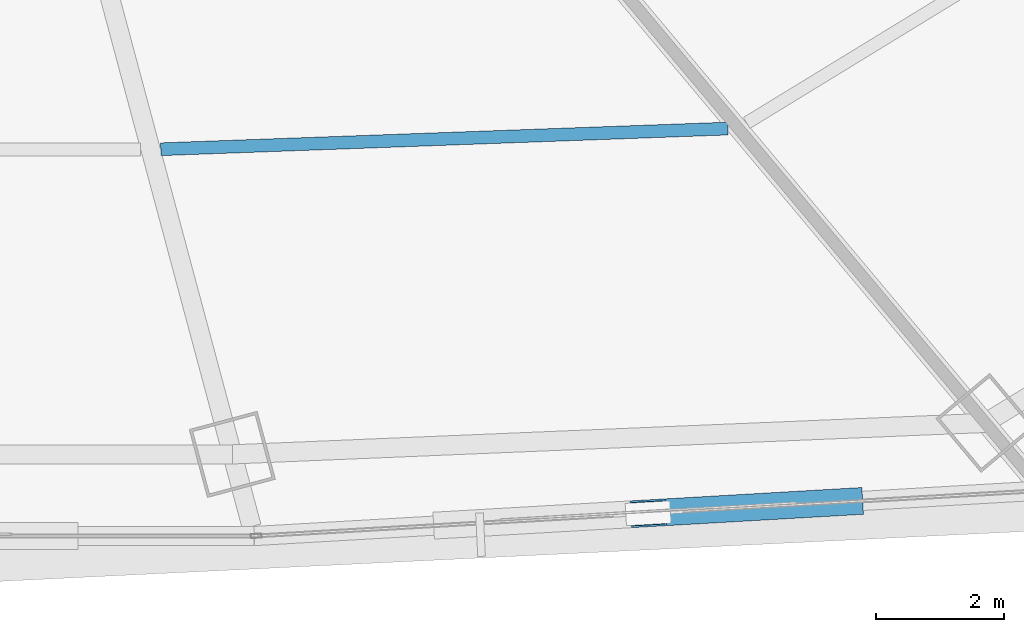
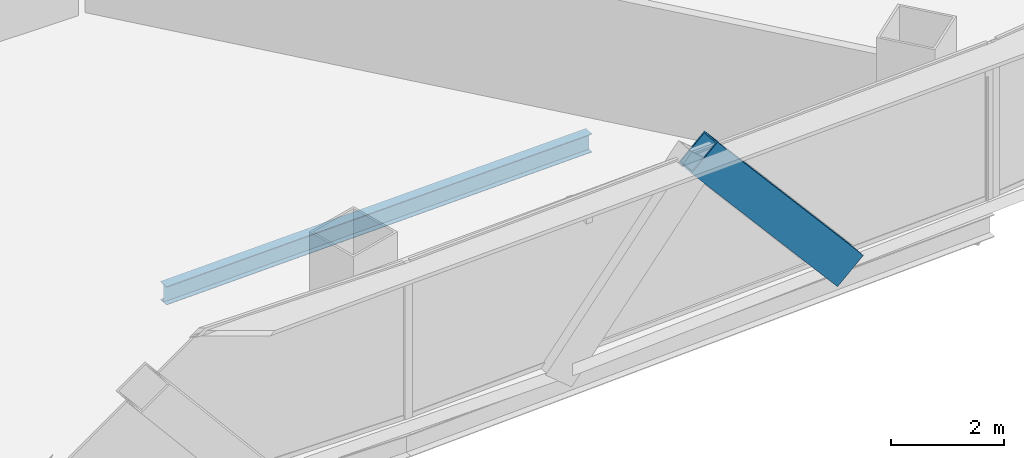
# One storey, part 11 of 37: 1 beam, 1 member.
"""IFC4 building model written with IfcOpenShell, lengths in metres."""

from ifc_helpers import new_model, si_unit, direction, frame, origin, origin_2d, place, context, subcontext, project, spatial, hollow_rectangle, i_section, extrude, source, transform, mapped, material, material_profile, profile_set, type_object, element, save


model = new_model("IFC4")

# Units and contexts
model_context = context("Model", 3, precision=1e-05, world=origin(), true_north=direction((0.0, 1.0)))
body_context = subcontext(model_context, "Body", "Model", "MODEL_VIEW")
ifc_project = project(units=[si_unit("LENGTHUNIT", "METRE"), si_unit("AREAUNIT", "SQUARE_METRE"), si_unit("VOLUMEUNIT", "CUBIC_METRE"), si_unit("PLANEANGLEUNIT", "RADIAN"), si_unit("MASSUNIT", "GRAM", prefix="KILO"), si_unit("THERMODYNAMICTEMPERATUREUNIT", "KELVIN"), si_unit("POWERUNIT", "WATT")], contexts=[model_context])

# Site, building, storey
site_placement = place(None, origin())
site = spatial("IfcSite", under=ifc_project, at=site_placement, CompositionType="ELEMENT")
building_placement = place(site_placement, origin())
building = spatial("IfcBuilding", under=site, at=building_placement, Name="Yunzhuo Pagoda Commons", CompositionType="ELEMENT")
storey_placement = place(building_placement, frame((0.0, 0.0, 52.179931640625)))
storey = spatial("IfcBuildingStorey", under=building, at=storey_placement, Name="L13", CompositionType="ELEMENT", Elevation=52.179931640625)

# Beam
ifc_material_1 = material(Name="Structural steel Q355B", Category="steel")
ifc_material_profile_1 = material_profile(ifc_material_1, i_section(OverallWidth=0.199951171875, OverallDepth=0.39990234375, WebThickness=0.008056640625, FlangeThickness=0.012939453125, at=origin_2d()), Name="Structural steel Q355B")
ifc_profile_set_1 = profile_set([ifc_material_profile_1], Name="Structural steel Q355B")
beam_type = type_object("IfcBeamType", Name="B-JS1 Joist HN 400x200x8x13", PredefinedType="JOIST", material=ifc_profile_set_1)
shared_shape_1 = source(origin(), body_context, "Body", "SweptSolid", [
    extrude(i_section(OverallWidth=0.199951171875, OverallDepth=0.39990234375, WebThickness=0.008056640625, FlangeThickness=0.012939453125, at=origin_2d()), origin(), (0.0, 0.0, 1.0), 8.876953125),
])
beam_placement = place(storey_placement, frame((52.601806640625, 17.125, -0.4599609375), z_axis=(0.999335806416, 0.036440993601, 0.0), x_axis=(-0.036440993601, 0.999335806416, 0.0)))
element("IfcBeam", 1, at=beam_placement, inside=storey, type_object=beam_type, Name="L13 composite ring joist 2.3", PredefinedType="JOIST", context=body_context, shape_type="MappedRepresentation", body=[
    mapped(shared_shape_1, transform((0.0, 0.0, 0.0), scale=1.0)),
])

# Member
ifc_material_2 = material(Name="Structural steel Q420B", Category="steel")
ifc_material_profile_2 = material_profile(ifc_material_2, hollow_rectangle(XDim=0.419921875, YDim=0.719970703125, WallThickness=0.028076171875, at=origin_2d()), Name="Structural steel Q420B")
ifc_profile_set_2 = profile_set([ifc_material_profile_2], Name="Structural steel Q420B")
member_type = type_object("IfcMemberType", Name="M-DL1 Brace BOX 720x420x28", PredefinedType="BRACE", material=ifc_profile_set_2)
shared_shape_2 = source(origin(), body_context, "Body", "SweptSolid", [
    extrude(hollow_rectangle(XDim=0.419921875, YDim=0.719970703125, WallThickness=0.028076171875, at=origin_2d()), origin(), (0.0, 0.0, 1.0), 4.764892578125),
])
member_placement = place(storey_placement, frame((63.306640625, 11.6083984375, -0.260009765625), z_axis=(-0.646702337743, -0.037299897154, 0.76182990492), x_axis=(0.057581374915, -0.998340816186, 0.0)))
element("IfcMember", 2, at=member_placement, inside=storey, type_object=member_type, Name="L13 facade diamond brace F1.3R", PredefinedType="BRACE", context=body_context, shape_type="MappedRepresentation", body=[
    mapped(shared_shape_2, transform((0.0, 0.0, 0.0), scale=1.0)),
])

save(model, "model.ifc")
